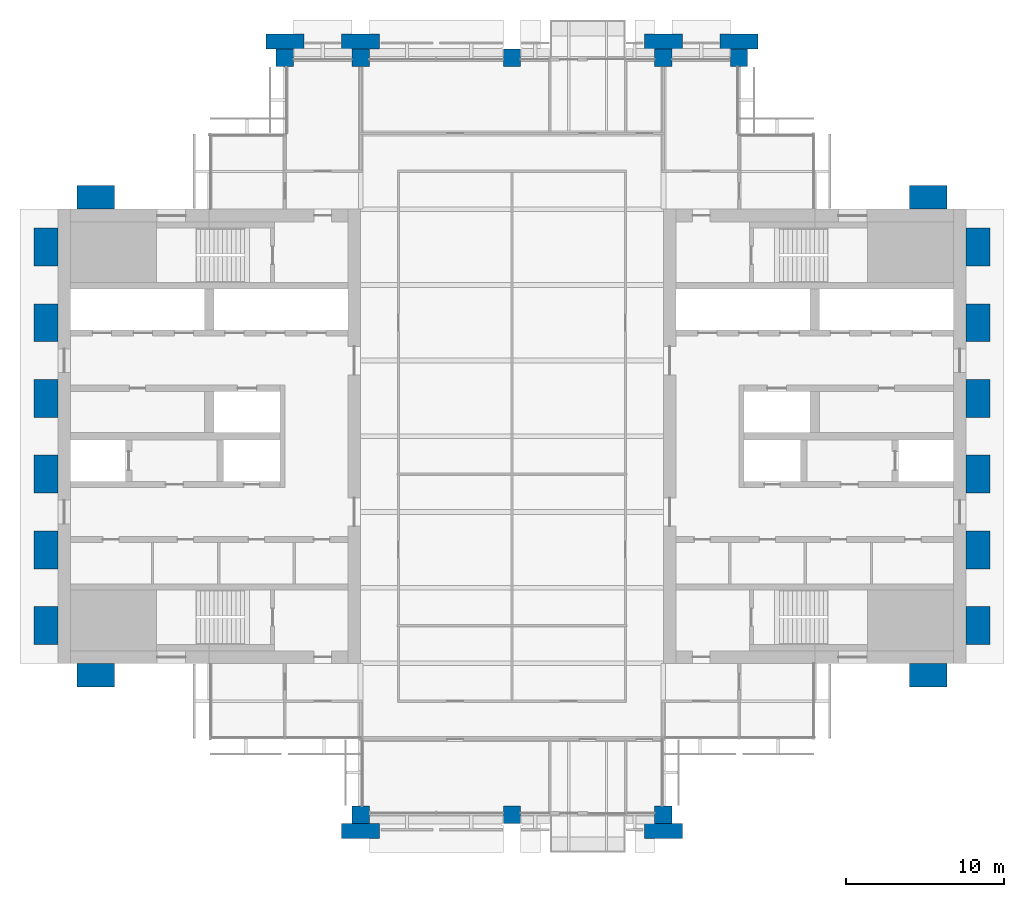
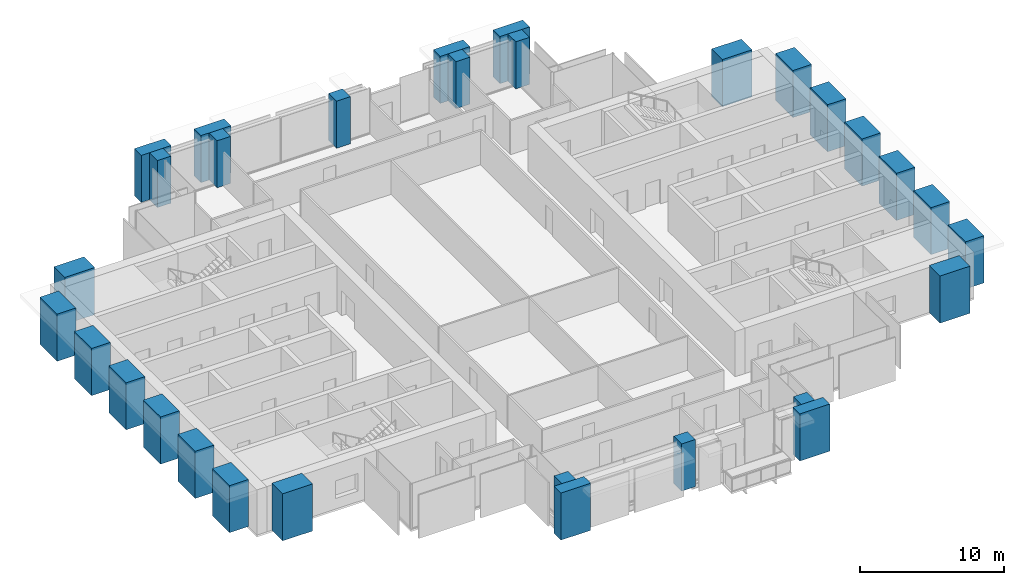
# One storey, part 1 of 14: 30 columns.
"""IFC4 building model written with IfcOpenShell, lengths in metres."""

from ifc_helpers import new_model, si_unit, direction, frame, origin, origin_2d, place, context, subcontext, project, spatial, rectangle, extrude, material, material_profile, profile_set, type_object, element, save


model = new_model("IFC4")

# Units and contexts
model_context = context("Model", 3, precision=1e-05, world=origin(), true_north=direction((0.0, 1.0)))
body_context = subcontext(model_context, "Body", "Model", "MODEL_VIEW")
ifc_project = project(units=[si_unit("LENGTHUNIT", "METRE"), si_unit("AREAUNIT", "SQUARE_METRE"), si_unit("VOLUMEUNIT", "CUBIC_METRE"), si_unit("PLANEANGLEUNIT", "RADIAN"), si_unit("MASSUNIT", "GRAM", prefix="KILO")], contexts=[model_context])

# Site, building, storey
site_placement = place(None, origin())
site = spatial("IfcSite", under=ifc_project, at=site_placement, CompositionType="ELEMENT")
building_placement = place(site_placement, origin())
building = spatial("IfcBuilding", under=site, at=building_placement, Name="Baori Bourse Tower", CompositionType="ELEMENT")
storey_placement = place(building_placement, frame((0.0, 0.0, 197.199951171875)))
storey = spatial("IfcBuildingStorey", under=building, at=storey_placement, Name="L42", CompositionType="ELEMENT", Elevation=197.199951171875)

# Columns
ifc_material_1 = material(Name="Concrete f'c 60 MPa", Category="concrete")
ifc_material_profile_1 = material_profile(ifc_material_1, rectangle(XDim=2.39990234375, YDim=0.949951171875, at=origin_2d()), Name="RC 2400x950")
ifc_profile_set_1 = profile_set([ifc_material_profile_1], Name="Concrete f'c 60 MPa")
column_type_1 = type_object("IfcColumnType", Name="FN3 Brick pilaster 2400x950", PredefinedType="PILASTER", material=ifc_profile_set_1)
for number, where, z_axis, x_axis, name in (
    (1, (19.199951171875, -1.02490234375, 0.0), (0.0, 0.0, 1.0), (1.0, 0.0, 0.0), "Brick pilaster L42 17"),
    (2, (38.39990234375, -1.02490234375, 0.0), (0.0, 0.0, 1.0), (1.0, 0.0, 0.0), "Brick pilaster L42 18"),
    (3, (14.39990234375, 49.02490234375, 0.0), (0.0, 0.0, 1.0), (1.0, 0.0, 0.0), "Brick pilaster L42 19"),
    (4, (19.199951171875, 49.02490234375, 0.0), (0.0, 0.0, 1.0), (1.0, 0.0, 0.0), "Brick pilaster L42 20"),
    (5, (38.39990234375, 49.02490234375, 0.0), (0.0, 0.0, 1.0), (1.0, 0.0, 0.0), "Brick pilaster L42 21"),
    (6, (43.199951171875, 49.02490234375, 0.0), (0.0, 0.0, 1.0), (1.0, 0.0, 0.0), "Brick pilaster L42 22"),
):
    element("IfcColumn", number, at=place(storey_placement, frame(where, z_axis=z_axis, x_axis=x_axis)), inside=storey, type_object=column_type_1, Name=name, PredefinedType="PILASTER", context=body_context, shape_type="SweptSolid", body=[
        extrude(rectangle(XDim=2.39990234375, YDim=0.949951171875, at=origin_2d()), origin(), (0.0, 0.0, 1.0), 4.0),
    ])
ifc_material_2 = material(Name="Concrete f'c 60 MPa", Category="concrete")
ifc_material_profile_2 = material_profile(ifc_material_2, rectangle(XDim=2.39990234375, YDim=1.5, at=origin_2d()), Name="RC 2400x1500")
ifc_profile_set_2 = profile_set([ifc_material_profile_2], Name="Concrete f'c 60 MPa")
column_type_2 = type_object("IfcColumnType", Name="FN4 Brick flank pilaster 2400x1500", PredefinedType="PILASTER", material=ifc_profile_set_2)
for number, where, z_axis, x_axis, name in (
    (7, (55.199951171875, 8.85009765625, 0.0), (0.0, 0.0, 1.0), (1.0, 0.0, 0.0), "Brick pilaster L42 1"),
    (8, (58.35009765625, 12.0, 0.0), (0.0, 0.0, 1.0), (0.0, 1.0, 0.0), "Brick pilaster L42 2"),
    (9, (58.35009765625, 16.800048828125, 0.0), (0.0, 0.0, 1.0), (0.0, 1.0, 0.0), "Brick pilaster L42 3"),
    (10, (58.35009765625, 21.60009765625, 0.0), (0.0, 0.0, 1.0), (0.0, 1.0, 0.0), "Brick pilaster L42 4"),
    (11, (58.35009765625, 26.39990234375, 0.0), (0.0, 0.0, 1.0), (0.0, 1.0, 0.0), "Brick pilaster L42 5"),
    (12, (58.35009765625, 31.199951171875, 0.0), (0.0, 0.0, 1.0), (0.0, 1.0, 0.0), "Brick pilaster L42 6"),
    (13, (58.35009765625, 36.0, 0.0), (0.0, 0.0, 1.0), (0.0, 1.0, 0.0), "Brick pilaster L42 7"),
    (14, (55.199951171875, 39.14990234375, 0.0), (0.0, 0.0, 1.0), (1.0, 0.0, 0.0), "Brick pilaster L42 8"),
    (15, (2.39990234375, 39.14990234375, 0.0), (0.0, 0.0, 1.0), (1.0, 0.0, 0.0), "Brick pilaster L42 9"),
    (16, (-0.75, 12.0, 0.0), (0.0, 0.0, 1.0), (0.0, 1.0, 0.0), "Brick pilaster L42 10"),
    (17, (-0.75, 16.800048828125, 0.0), (0.0, 0.0, 1.0), (0.0, 1.0, 0.0), "Brick pilaster L42 11"),
    (18, (-0.75, 21.60009765625, 0.0), (0.0, 0.0, 1.0), (0.0, 1.0, 0.0), "Brick pilaster L42 12"),
    (19, (-0.75, 26.39990234375, 0.0), (0.0, 0.0, 1.0), (0.0, 1.0, 0.0), "Brick pilaster L42 13"),
    (20, (-0.75, 31.199951171875, 0.0), (0.0, 0.0, 1.0), (0.0, 1.0, 0.0), "Brick pilaster L42 14"),
    (21, (-0.75, 36.0, 0.0), (0.0, 0.0, 1.0), (0.0, 1.0, 0.0), "Brick pilaster L42 15"),
    (22, (2.39990234375, 8.85009765625, 0.0), (0.0, 0.0, 1.0), (1.0, 0.0, 0.0), "Brick pilaster L42 16"),
):
    element("IfcColumn", number, at=place(storey_placement, frame(where, z_axis=z_axis, x_axis=x_axis)), inside=storey, type_object=column_type_2, Name=name, PredefinedType="PILASTER", context=body_context, shape_type="SweptSolid", body=[
        extrude(rectangle(XDim=2.39990234375, YDim=1.5, at=origin_2d()), origin(), (0.0, 0.0, 1.0), 4.0),
    ])
ifc_material_3 = material(Name="Concrete f'c 50 MPa", Category="concrete")
ifc_material_profile_3 = material_profile(ifc_material_3, rectangle(XDim=1.10009765625, YDim=1.10009765625, at=origin_2d()), Name="RC 1100x1100")
ifc_profile_set_3 = profile_set([ifc_material_profile_3], Name="Concrete f'c 50 MPa")
column_type_3 = type_object("IfcColumnType", Name="Perimeter column 50 RC 1100x1100", PredefinedType="COLUMN", material=ifc_profile_set_3)
for number, where, z_axis, x_axis, name in (
    (23, (19.199951171875, 0.0, 0.0), (0.0, 0.0, 1.0), (1.0, 0.0, 0.0), "Perimeter column L42"),
    (24, (28.800048828125, 0.0, 0.0), (0.0, 0.0, 1.0), (1.0, 0.0, 0.0), "Perimeter column L42"),
    (25, (38.39990234375, 0.0, 0.0), (0.0, 0.0, 1.0), (1.0, 0.0, 0.0), "Perimeter column L42"),
    (26, (14.39990234375, 48.0, 0.0), (0.0, 0.0, 1.0), (1.0, 0.0, 0.0), "Perimeter column L42"),
    (27, (19.199951171875, 48.0, 0.0), (0.0, 0.0, 1.0), (1.0, 0.0, 0.0), "Perimeter column L42"),
    (28, (28.800048828125, 48.0, 0.0), (0.0, 0.0, 1.0), (1.0, 0.0, 0.0), "Perimeter column L42"),
    (29, (38.39990234375, 48.0, 0.0), (0.0, 0.0, 1.0), (1.0, 0.0, 0.0), "Perimeter column L42"),
    (30, (43.199951171875, 48.0, 0.0), (0.0, 0.0, 1.0), (1.0, 0.0, 0.0), "Perimeter column L42"),
):
    element("IfcColumn", number, at=place(storey_placement, frame(where, z_axis=z_axis, x_axis=x_axis)), inside=storey, type_object=column_type_3, Name=name, PredefinedType="COLUMN", context=body_context, shape_type="SweptSolid", body=[
        extrude(rectangle(XDim=1.10009765625, YDim=1.10009765625, at=origin_2d()), origin(), (0.0, 0.0, 1.0), 4.0),
    ])

save(model, "model.ifc")
